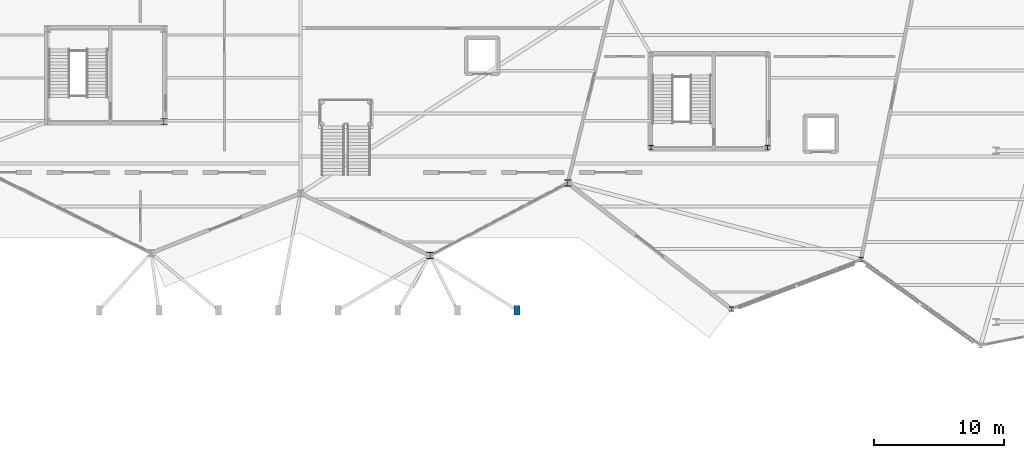
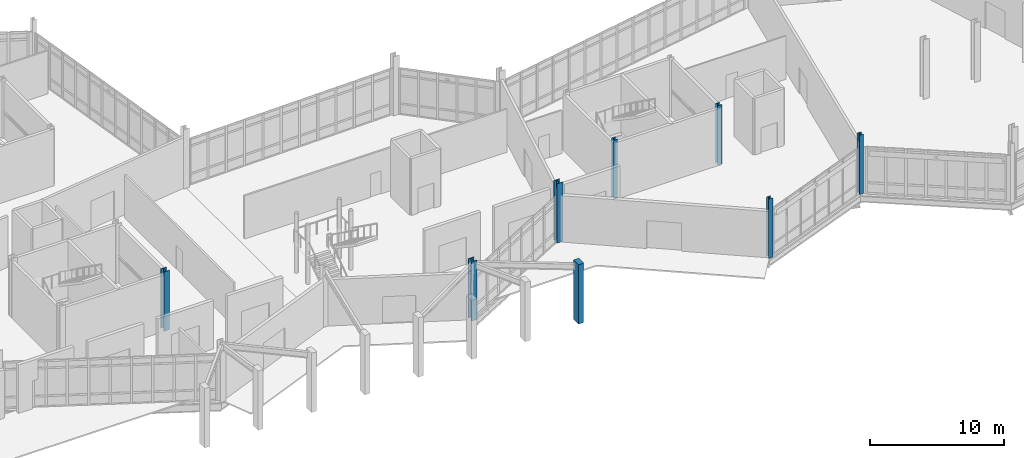
# One storey, part 9 of 113: 8 columns.
"""IFC4 building model written with IfcOpenShell, lengths in metres."""

from ifc_helpers import new_model, si_unit, direction, frame, origin, origin_2d, place, context, subcontext, project, spatial, rectangle, i_section, extrude, material, material_profile, profile_set, type_object, element, save


model = new_model("IFC4")

# Units and contexts
model_context = context("Model", 3, precision=1e-05, world=origin(), true_north=direction((0.0, 1.0)))
body_context = subcontext(model_context, "Body", "Model", "MODEL_VIEW")
ifc_project = project(units=[si_unit("LENGTHUNIT", "METRE"), si_unit("AREAUNIT", "SQUARE_METRE"), si_unit("VOLUMEUNIT", "CUBIC_METRE"), si_unit("PLANEANGLEUNIT", "RADIAN"), si_unit("MASSUNIT", "GRAM", prefix="KILO")], contexts=[model_context])

# Site, building, storey
site_placement = place(None, origin())
site = spatial("IfcSite", under=ifc_project, at=site_placement, CompositionType="ELEMENT")
building_placement = place(site_placement, origin())
building = spatial("IfcBuilding", under=site, at=building_placement, Name="Tameran Prism Museum", CompositionType="ELEMENT")
storey_placement = place(building_placement, origin())
storey = spatial("IfcBuildingStorey", under=building, at=storey_placement, Name="L00", CompositionType="ELEMENT", Elevation=0.0)

# Columns
ifc_material_1 = material(Name="Concrete N40 (40 MPa)", Category="concrete")
ifc_material_profile_1 = material_profile(ifc_material_1, rectangle(XDim=0.449951171875, YDim=0.75, at=origin_2d()))
ifc_profile_set_1 = profile_set([ifc_material_profile_1])
column_type_1 = type_object("IfcColumnType", Name="COL-PIL450", PredefinedType="PILASTER", material=ifc_profile_set_1)
column_placement = place(storey_placement, frame((94.199951171875, 18.39990234375, 0.0), z_axis=(0.0, 0.0, 1.0), x_axis=(1.0, 0.0, 0.0)))
element("IfcColumn", 1, at=column_placement, inside=storey, type_object=column_type_1, Name="Column CP-08 L00", PredefinedType="PILASTER", context=body_context, shape_type="SweptSolid", body=[
    extrude(rectangle(XDim=0.449951171875, YDim=0.75, at=origin_2d()), origin(), (0.0, 0.0, 1.0), 5.39990234375),
])
ifc_material_2 = material(Name="Steel Grade 350 (350 MPa)", Category="steel")
ifc_material_profile_2 = material_profile(ifc_material_2, i_section(OverallWidth=0.35009765625, OverallDepth=0.35009765625, WebThickness=0.02001953125, FlangeThickness=0.028076171875, at=origin_2d()))
ifc_profile_set_2 = profile_set([ifc_material_profile_2])
column_type_2 = type_object("IfcColumnType", Name="COL-WC350", PredefinedType="COLUMN", material=ifc_profile_set_2)
for number, where, z_axis, x_axis, name in (
    (2, (110.699951171875, 18.5, 0.0), (0.0, 0.0, 1.0), (1.0, 0.0, 0.0), "Column CV-44 L00"),
    (3, (120.699951171875, 22.300048828125, 0.0), (0.0, 0.0, 1.0), (1.0, 0.0, 0.0), "Column CV-48 L00"),
    (4, (104.52001953125, 30.919921875, 0.0), (0.0, 0.0, 1.0), (1.0, 0.0, 0.0), "Column CC-4-1 L00"),
    (5, (113.47998046875, 30.919921875, 0.0), (0.0, 0.0, 1.0), (1.0, 0.0, 0.0), "Column CC-4-2 L00"),
):
    element("IfcColumn", number, at=place(storey_placement, frame(where, z_axis=z_axis, x_axis=x_axis)), inside=storey, type_object=column_type_2, Name=name, PredefinedType="COLUMN", context=body_context, shape_type="SweptSolid", body=[
        extrude(i_section(OverallWidth=0.35009765625, OverallDepth=0.35009765625, WebThickness=0.02001953125, FlangeThickness=0.028076171875, at=origin_2d()), origin(), (0.0, 0.0, 1.0), 5.39990234375),
    ])
ifc_material_3 = material(Name="Steel Grade 350 (350 MPa)", Category="steel")
ifc_material_profile_3 = material_profile(ifc_material_3, i_section(OverallWidth=0.5, OverallDepth=0.5, WebThickness=0.02197265625, FlangeThickness=0.035888671875, at=origin_2d()))
ifc_profile_set_3 = profile_set([ifc_material_profile_3])
column_type_3 = type_object("IfcColumnType", Name="COL-WC500", PredefinedType="COLUMN", material=ifc_profile_set_3)
for number, where, z_axis, x_axis, name in (
    (6, (87.5, 22.60009765625, 0.0), (0.0, 0.0, 1.0), (1.0, 0.0, 0.0), "Column CV-36 L00"),
    (7, (98.10009765625, 28.199951171875, 0.0), (0.0, 0.0, 1.0), (1.0, 0.0, 0.0), "Column CV-39 L00"),
    (8, (66.97998046875, 32.919921875, 0.0), (0.0, 0.0, 1.0), (1.0, 0.0, 0.0), "Column CC-3-2 L00"),
):
    element("IfcColumn", number, at=place(storey_placement, frame(where, z_axis=z_axis, x_axis=x_axis)), inside=storey, type_object=column_type_3, Name=name, PredefinedType="COLUMN", context=body_context, shape_type="SweptSolid", body=[
        extrude(i_section(OverallWidth=0.5, OverallDepth=0.5, WebThickness=0.02197265625, FlangeThickness=0.035888671875, at=origin_2d()), origin(), (0.0, 0.0, 1.0), 5.39990234375),
    ])

save(model, "model.ifc")
